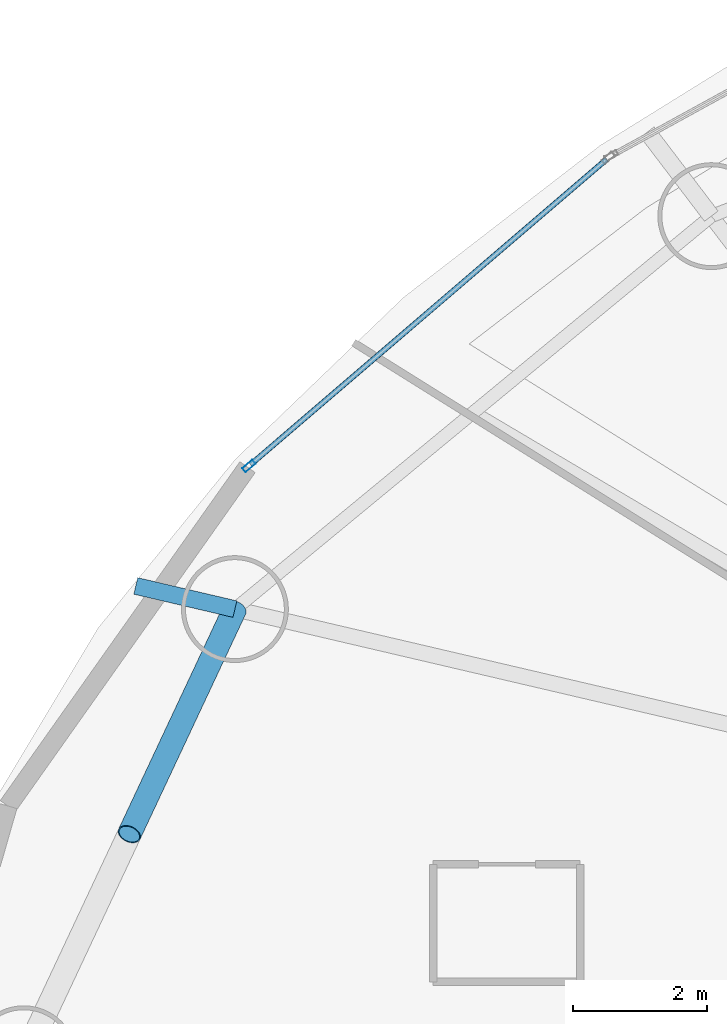
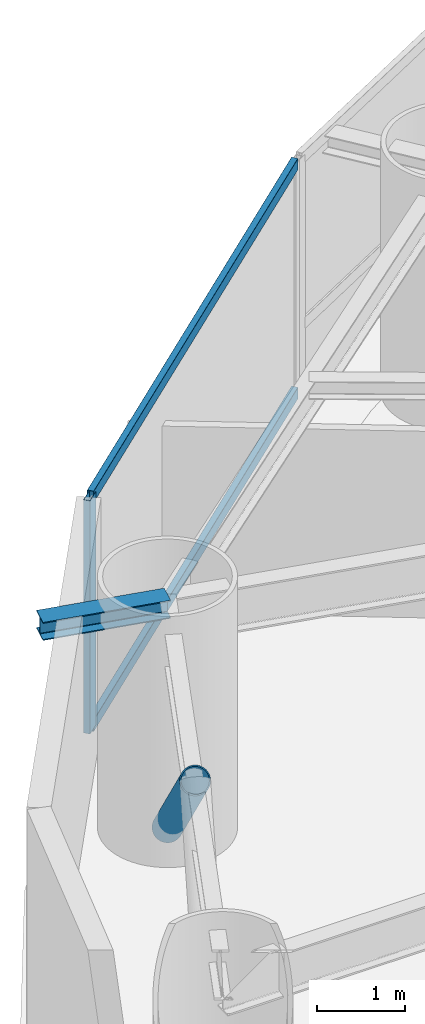
# One storey, part 13 of 25: 4 members, 1 beam, 1 element without a shape of its own.
"""IFC4 building model written with IfcOpenShell, lengths in metres."""

from ifc_helpers import new_model, si_unit, direction, frame, origin, origin_2d, place, context, subcontext, project, spatial, hollow_rectangle, hollow_circle, i_section, extrude, material, layer, layer_set, material_profile, profile_set, type_object, element, aggregate, save


model = new_model("IFC4")

# Units and contexts
model_context = context("Model", 3, precision=1e-05, world=origin(), true_north=direction((0.0, 1.0)))
body_context = subcontext(model_context, "Body", "Model", "MODEL_VIEW")
ifc_project = project(units=[si_unit("LENGTHUNIT", "METRE"), si_unit("AREAUNIT", "SQUARE_METRE"), si_unit("VOLUMEUNIT", "CUBIC_METRE"), si_unit("PLANEANGLEUNIT", "RADIAN"), si_unit("MASSUNIT", "GRAM", prefix="KILO")], contexts=[model_context])

# Site, building, storey
site_placement = place(None, origin())
site = spatial("IfcSite", under=ifc_project, at=site_placement, CompositionType="ELEMENT")
building_placement = place(site_placement, origin())
building = spatial("IfcBuilding", under=site, at=building_placement, Name="Bramvorn Convention Spire", CompositionType="ELEMENT")
storey_placement = place(building_placement, frame((0.0, 0.0, 55.39990234375)))
storey = spatial("IfcBuildingStorey", under=building, at=storey_placement, Name="L11", CompositionType="ELEMENT", Elevation=55.39990234375)

# Beam
ifc_material_1 = material(Name="Steel CSA G40.21 Grade 350 (350W)", Category="steel")
ifc_material_profile_1 = material_profile(ifc_material_1, i_section(OverallWidth=0.25390625, OverallDepth=0.2529296875, WebThickness=0.008544921875, FlangeThickness=0.01416015625, FilletRadius=0.011962890625, at=origin_2d()))
ifc_profile_set_1 = profile_set([ifc_material_profile_1], Name="Steel CSA G40.21 Grade 350 (350W) - W250X73")
beam_type = type_object("IfcBeamType", Name="BM-W250X73", PredefinedType="BEAM", material=ifc_profile_set_1)
beam_placement = place(storey_placement, frame((12.64111328125, 36.746337890625, 3.12353515625), z_axis=(-0.97376906186, 0.227538599283, 0.0), x_axis=(-0.227538599283, -0.97376906186, 0.0)))
element("IfcBeam", 1, at=beam_placement, inside=storey, type_object=beam_type, Name="L11 slab-edge cantilever tip beam MC08", PredefinedType="BEAM", context=body_context, shape_type="SweptSolid", body=[
    extrude(i_section(OverallWidth=0.25390625, OverallDepth=0.2529296875, WebThickness=0.008544921875, FlangeThickness=0.01416015625, FilletRadius=0.011962890625, at=origin_2d()), origin(), (0.0, 0.0, 1.0), 1.523681640625),
])

# Curtain wall, members
ifc_material_2 = material(Name="Anodised Bronze Unitised Curtain Wall", Category="aluminium")
ifc_layer = layer(ifc_material_2, 0.179931640625)
ifc_layer_set = layer_set([ifc_layer], Name="Anodised Bronze Unitised Curtain Wall - CW-HTL-FRIT")
curtain_wall_type = type_object("IfcCurtainWallType", Name="CW-HTL-FRIT", PredefinedType="USERDEFINED", material=ifc_layer_set)
curtain_wall_placement = place(storey_placement, origin())
curtain_wall = element("IfcCurtainWall", 2, at=curtain_wall_placement, inside=storey, type_object=curtain_wall_type, Name="L11 fritted glass curtain wall 10", ObjectType="UNITISED CURTAIN WALL", PredefinedType="USERDEFINED")
ifc_material_3 = material(Name="Anodised Bronze Aluminium 6063-T6", Category="aluminium")
ifc_material_profile_2 = material_profile(ifc_material_3, hollow_rectangle(XDim=0.080078125, YDim=0.199951171875, WallThickness=0.00390625, InnerFilletRadius=0.0009765625, OuterFilletRadius=0.00390625, at=origin_2d()))
ifc_profile_set_2 = profile_set([ifc_material_profile_2], Name="Anodised Bronze Aluminium 6063-T6 - CWM80X200")
member_type_1 = type_object("IfcMemberType", Name="CW-MUL-180", PredefinedType="MULLION", material=ifc_profile_set_2)
member_1_placement = place(storey_placement, frame((12.85302734375, 38.890380859375, 0.0), z_axis=(0.0, 0.0, 1.0), x_axis=(-0.650945854546, 0.759124162736, 0.0)))
member_1 = element("IfcMember", 3, at=member_1_placement, type_object=member_type_1, Name="CW2 mullion 1", PredefinedType="MULLION", context=body_context, shape_type="SweptSolid", body=[
    extrude(hollow_rectangle(XDim=0.080078125, YDim=0.199951171875, WallThickness=0.00390625, InnerFilletRadius=0.0009765625, OuterFilletRadius=0.00390625, at=origin_2d()), origin(), (0.0, 0.0, 1.0), 3.25),
])
ifc_material_profile_3 = material_profile(ifc_material_3, hollow_rectangle(XDim=0.080078125, YDim=0.159912109375, WallThickness=0.00390625, InnerFilletRadius=0.0009765625, OuterFilletRadius=0.00390625, at=origin_2d()))
ifc_profile_set_3 = profile_set([ifc_material_profile_3], Name="Anodised Bronze Aluminium 6063-T6 - CWT80X160")
member_type_2 = type_object("IfcMemberType", Name="CW-TRN-150", PredefinedType="USERDEFINED", material=ifc_profile_set_3)
member_2_placement = place(storey_placement, frame((12.875732421875, 38.909912109375, 0.030029296875), z_axis=(0.759126531504, 0.65094309211, 0.0), x_axis=(-0.65094309211, 0.759126531504, 0.0)))
member_2 = element("IfcMember", 4, at=member_2_placement, type_object=member_type_2, Name="CW2 transom 1.1", ObjectType="TRANSOM", PredefinedType="USERDEFINED", context=body_context, shape_type="SweptSolid", body=[
    extrude(hollow_rectangle(XDim=0.080078125, YDim=0.159912109375, WallThickness=0.00390625, InnerFilletRadius=0.0009765625, OuterFilletRadius=0.00390625, at=origin_2d()), origin(), (0.0, 0.0, 1.0), 7.02294921875),
])
member_3_placement = place(storey_placement, frame((12.875732421875, 38.909912109375, 3.22021484375), z_axis=(0.759126531504, 0.65094309211, 0.0), x_axis=(-0.65094309211, 0.759126531504, 0.0)))
member_3 = element("IfcMember", 5, at=member_3_placement, type_object=member_type_2, Name="CW2 transom 1.2", ObjectType="TRANSOM", PredefinedType="USERDEFINED", context=body_context, shape_type="SweptSolid", body=[
    extrude(hollow_rectangle(XDim=0.080078125, YDim=0.159912109375, WallThickness=0.00390625, InnerFilletRadius=0.0009765625, OuterFilletRadius=0.00390625, at=origin_2d()), origin(), (0.0, 0.0, 1.0), 7.02294921875),
])
aggregate(curtain_wall, [member_1, member_2, member_3])

# Member
ifc_material_profile_4 = material_profile(ifc_material_1, hollow_circle(Radius=0.177734375, WallThickness=0.015869140625, at=origin_2d()))
ifc_profile_set_4 = profile_set([ifc_material_profile_4], Name="Steel CSA G40.21 Grade 350 (350W) - CHS356X16")
member_type_3 = type_object("IfcMemberType", Name="MBR-CHS356X16", PredefinedType="BRACE", material=ifc_profile_set_4)
member_4_placement = place(storey_placement, frame((12.64111328125, 36.746337890625, 0.0), z_axis=(-0.319854623913, -0.681908513826, 0.65779464754), x_axis=(0.905351753695, -0.424662456643, 0.0)))
element("IfcMember", 6, at=member_4_placement, inside=storey, type_object=member_type_3, Name="L11 perimeter Gothic lancet brace 8A", PredefinedType="BRACE", context=body_context, shape_type="SweptSolid", body=[
    extrude(hollow_circle(Radius=0.177734375, WallThickness=0.015869140625, at=origin_2d()), origin(), (0.0, 0.0, 1.0), 4.940673828125),
])

save(model, "model.ifc")
